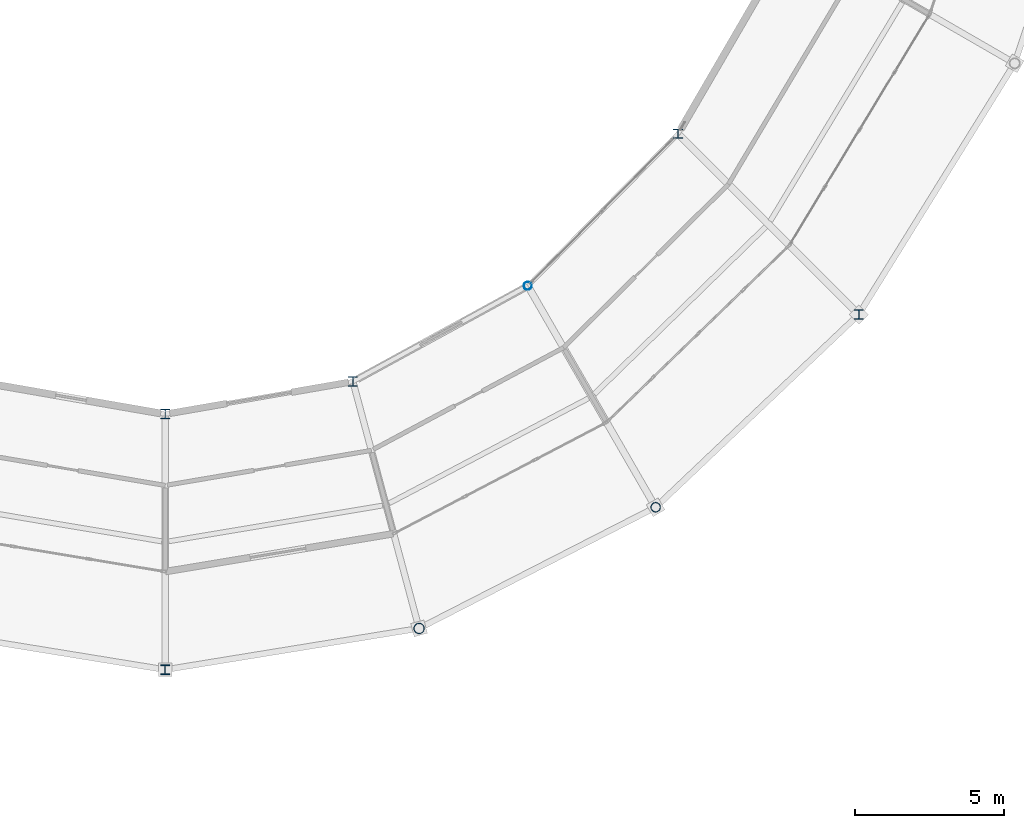
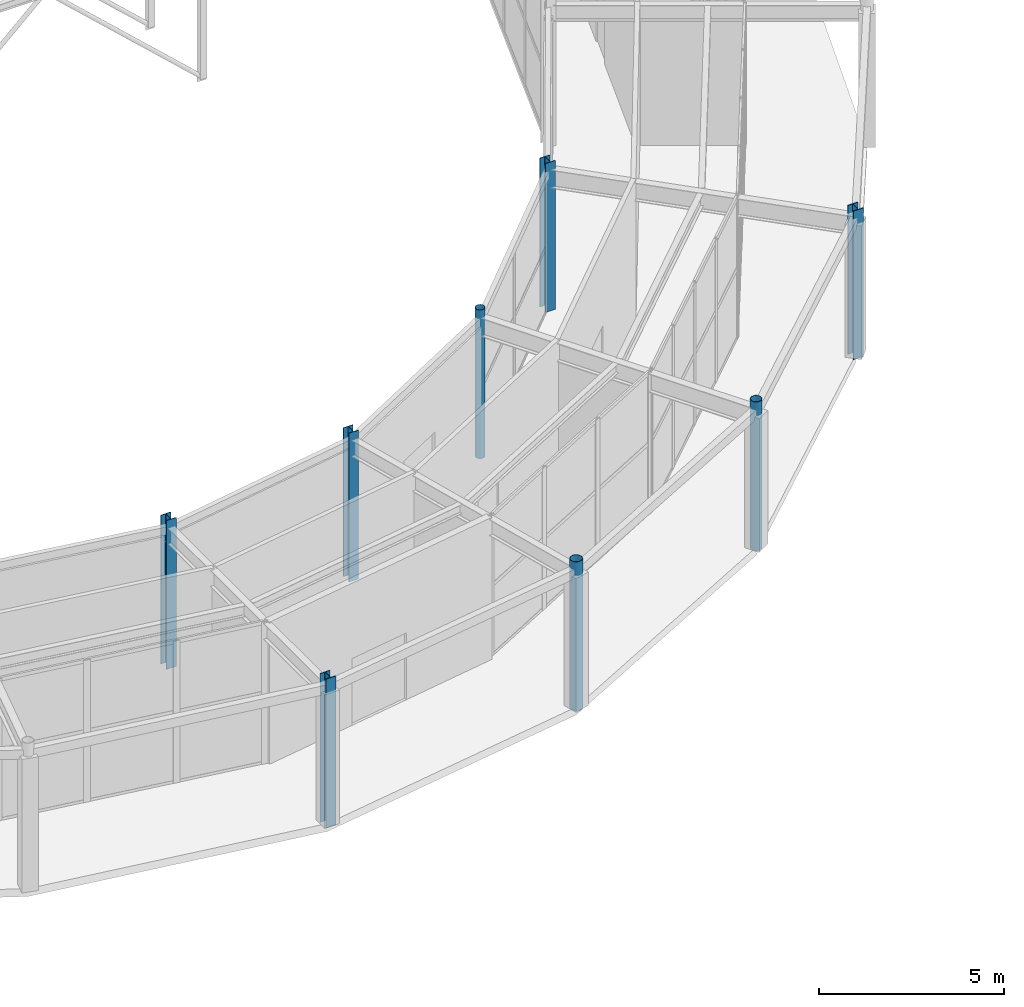
# One storey, part 6 of 144: 8 columns.
"""IFC4 building model written with IfcOpenShell, lengths in metres."""

from ifc_helpers import new_model, si_unit, direction, frame, origin, origin_2d, place, context, subcontext, project, spatial, hollow_circle, i_section, extrude, material, material_profile, profile_set, type_object, element, save


model = new_model("IFC4")

# Units and contexts
model_context = context("Model", 3, precision=1e-05, world=origin(), true_north=direction((0.0, 1.0)))
body_context = subcontext(model_context, "Body", "Model", "MODEL_VIEW")
ifc_project = project(units=[si_unit("LENGTHUNIT", "METRE"), si_unit("AREAUNIT", "SQUARE_METRE"), si_unit("VOLUMEUNIT", "CUBIC_METRE"), si_unit("PLANEANGLEUNIT", "RADIAN"), si_unit("MASSUNIT", "GRAM", prefix="KILO")], contexts=[model_context])

# Site, building, storey
site_placement = place(None, origin())
site = spatial("IfcSite", under=ifc_project, at=site_placement, CompositionType="ELEMENT")
building_placement = place(site_placement, origin())
building = spatial("IfcBuilding", under=site, at=building_placement, Name="Karori Crest Natural Sciences Institute", CompositionType="ELEMENT")
storey_placement = place(building_placement, origin())
storey = spatial("IfcBuildingStorey", under=building, at=storey_placement, Name="L00", CompositionType="ELEMENT", Elevation=0.0)

# Columns
ifc_material_1 = material(Name="Structural steel AS/NZS 3679.1 Grade 350", Category="steel")
ifc_material_profile_1 = material_profile(ifc_material_1, i_section(OverallWidth=0.31103515625, OverallDepth=0.326904296875, WebThickness=0.015625, FlangeThickness=0.02490234375, FilletRadius=0.01708984375, at=origin_2d()), Name="310UC158")
ifc_profile_set_1 = profile_set([ifc_material_profile_1], Name="Structural steel AS/NZS 3679.1 Grade 350")
column_type_1 = type_object("IfcColumnType", Name="CT-04", PredefinedType="COLUMN", material=ifc_profile_set_1)
for number, where, z_axis, x_axis, name in (
    (1, (66.39990234375, 9.10009765625, 0.0), (0.0, 0.0, 1.0), (1.0, 0.0, 0.0), "Column C-0299"),
    (2, (89.734619140625, 21.050048828125, 0.0), (0.0, 0.0, 1.0), (1.0, 0.0, 0.0), "Column C-0347"),
):
    element("IfcColumn", number, at=place(storey_placement, frame(where, z_axis=z_axis, x_axis=x_axis)), inside=storey, type_object=column_type_1, Name=name, PredefinedType="COLUMN", context=body_context, shape_type="SweptSolid", body=[
        extrude(i_section(OverallWidth=0.31103515625, OverallDepth=0.326904296875, WebThickness=0.015625, FlangeThickness=0.02490234375, FilletRadius=0.01708984375, at=origin_2d()), origin(), (0.0, 0.0, 1.0), 4.89990234375),
    ])
ifc_material_profile_2 = material_profile(ifc_material_1, i_section(OverallWidth=0.306884765625, OverallDepth=0.31494140625, WebThickness=0.011962890625, FlangeThickness=0.018798828125, FilletRadius=0.01708984375, at=origin_2d()), Name="310UC118")
ifc_profile_set_2 = profile_set([ifc_material_profile_2], Name="Structural steel AS/NZS 3679.1 Grade 350")
column_type_2 = type_object("IfcColumnType", Name="CT-05", PredefinedType="COLUMN", material=ifc_profile_set_2)
for number, where, z_axis, x_axis, name in (
    (3, (66.39990234375, 17.699951171875, 0.0), (0.0, 0.0, 1.0), (1.0, 0.0, 0.0), "Column C-0300"),
    (4, (83.6533203125, 27.131103515625, 0.0), (0.0, 0.0, 1.0), (1.0, 0.0, 0.0), "Column C-0348"),
):
    element("IfcColumn", number, at=place(storey_placement, frame(where, z_axis=z_axis, x_axis=x_axis)), inside=storey, type_object=column_type_2, Name=name, PredefinedType="COLUMN", context=body_context, shape_type="SweptSolid", body=[
        extrude(i_section(OverallWidth=0.306884765625, OverallDepth=0.31494140625, WebThickness=0.011962890625, FlangeThickness=0.018798828125, FilletRadius=0.01708984375, at=origin_2d()), origin(), (0.0, 0.0, 1.0), 4.89990234375),
    ])
ifc_material_2 = material(Name="Hollow structural steel AS/NZS 1163 Grade C350", Category="steel")
ifc_material_profile_3 = material_profile(ifc_material_2, hollow_circle(Radius=0.177734375, WallThickness=0.0126953125, at=origin_2d()), Name="CHS355.6x12.7")
ifc_profile_set_3 = profile_set([ifc_material_profile_3], Name="Hollow structural steel AS/NZS 1163 Grade C350")
column_type_3 = type_object("IfcColumnType", Name="CT-14", PredefinedType="COLUMN", material=ifc_profile_set_3)
column_1_placement = place(storey_placement, frame((74.94091796875, 10.490234375, 0.0), z_axis=(0.0, 0.0, 1.0), x_axis=(1.0, 0.0, 0.0)))
element("IfcColumn", 5, at=column_1_placement, inside=storey, type_object=column_type_3, Name="Column C-0315", PredefinedType="COLUMN", context=body_context, shape_type="SweptSolid", body=[
    extrude(hollow_circle(Radius=0.177734375, WallThickness=0.0126953125, at=origin_2d()), origin(), (0.0, 0.0, 1.0), 4.89990234375),
])
ifc_material_profile_4 = material_profile(ifc_material_2, hollow_circle(Radius=0.161865234375, WallThickness=0.0126953125, at=origin_2d()), Name="CHS323.9x12.7")
ifc_profile_set_4 = profile_set([ifc_material_profile_4], Name="Hollow structural steel AS/NZS 1163 Grade C350")
column_type_4 = type_object("IfcColumnType", Name="CT-15", PredefinedType="COLUMN", material=ifc_profile_set_4)
column_2_placement = place(storey_placement, frame((82.89990234375, 14.566162109375, 0.0), z_axis=(0.0, 0.0, 1.0), x_axis=(1.0, 0.0, 0.0)))
element("IfcColumn", 6, at=column_2_placement, inside=storey, type_object=column_type_4, Name="Column C-0331", PredefinedType="COLUMN", context=body_context, shape_type="SweptSolid", body=[
    extrude(hollow_circle(Radius=0.161865234375, WallThickness=0.0126953125, at=origin_2d()), origin(), (0.0, 0.0, 1.0), 4.89990234375),
])
ifc_material_profile_5 = material_profile(ifc_material_2, hollow_circle(Radius=0.136474609375, WallThickness=0.00927734375, at=origin_2d()), Name="CHS273.0x9.3")
ifc_profile_set_5 = profile_set([ifc_material_profile_5], Name="Hollow structural steel AS/NZS 1163 Grade C350")
column_type_5 = type_object("IfcColumnType", Name="CT-16", PredefinedType="COLUMN", material=ifc_profile_set_5)
column_3_placement = place(storey_placement, frame((78.60009765625, 22.013916015625, 0.0), z_axis=(0.0, 0.0, 1.0), x_axis=(1.0, 0.0, 0.0)))
element("IfcColumn", 7, at=column_3_placement, inside=storey, type_object=column_type_5, Name="Column C-0332", PredefinedType="COLUMN", context=body_context, shape_type="SweptSolid", body=[
    extrude(hollow_circle(Radius=0.136474609375, WallThickness=0.00927734375, at=origin_2d()), origin(), (0.0, 0.0, 1.0), 4.89990234375),
])
ifc_material_profile_6 = material_profile(ifc_material_1, i_section(OverallWidth=0.304931640625, OverallDepth=0.30810546875, WebThickness=0.010009765625, FlangeThickness=0.015380859375, FilletRadius=0.01708984375, at=origin_2d()), Name="310UC96.8")
ifc_profile_set_6 = profile_set([ifc_material_profile_6], Name="Structural steel AS/NZS 3679.1 Grade 350")
column_type_6 = type_object("IfcColumnType", Name="CT-25", PredefinedType="COLUMN", material=ifc_profile_set_6)
column_4_placement = place(storey_placement, frame((72.715087890625, 18.797119140625, 0.0), z_axis=(0.0, 0.0, 1.0), x_axis=(1.0, 0.0, 0.0)))
element("IfcColumn", 8, at=column_4_placement, inside=storey, type_object=column_type_6, Name="Column C-0316", PredefinedType="COLUMN", context=body_context, shape_type="SweptSolid", body=[
    extrude(i_section(OverallWidth=0.304931640625, OverallDepth=0.30810546875, WebThickness=0.010009765625, FlangeThickness=0.015380859375, FilletRadius=0.01708984375, at=origin_2d()), origin(), (0.0, 0.0, 1.0), 4.89990234375),
])

save(model, "model.ifc")
